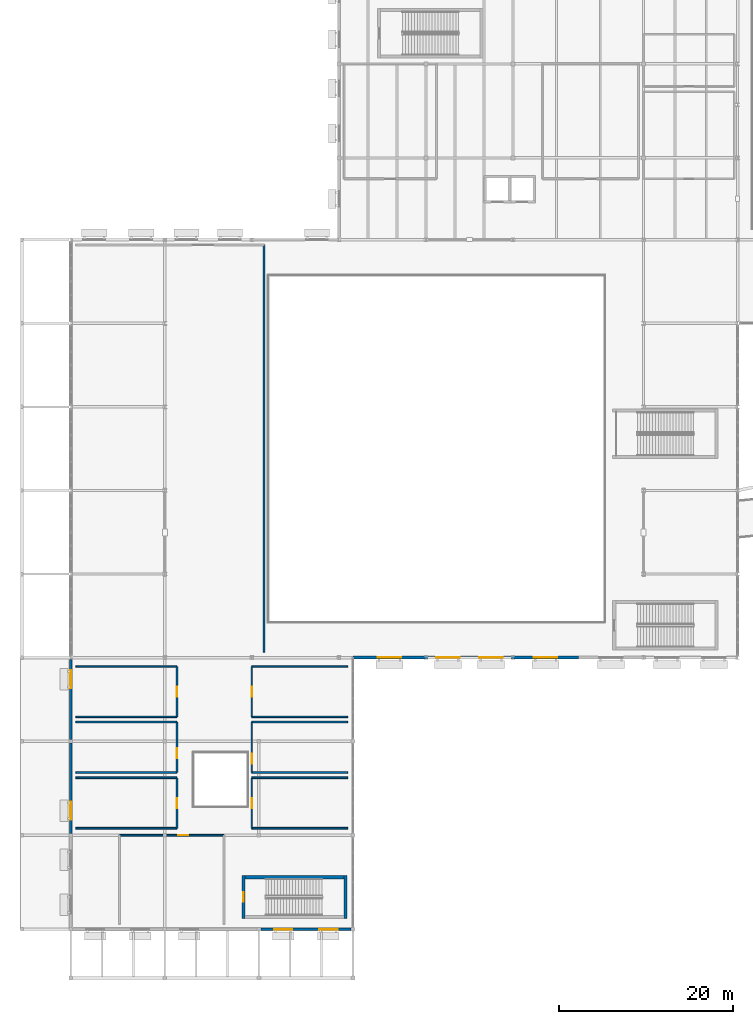
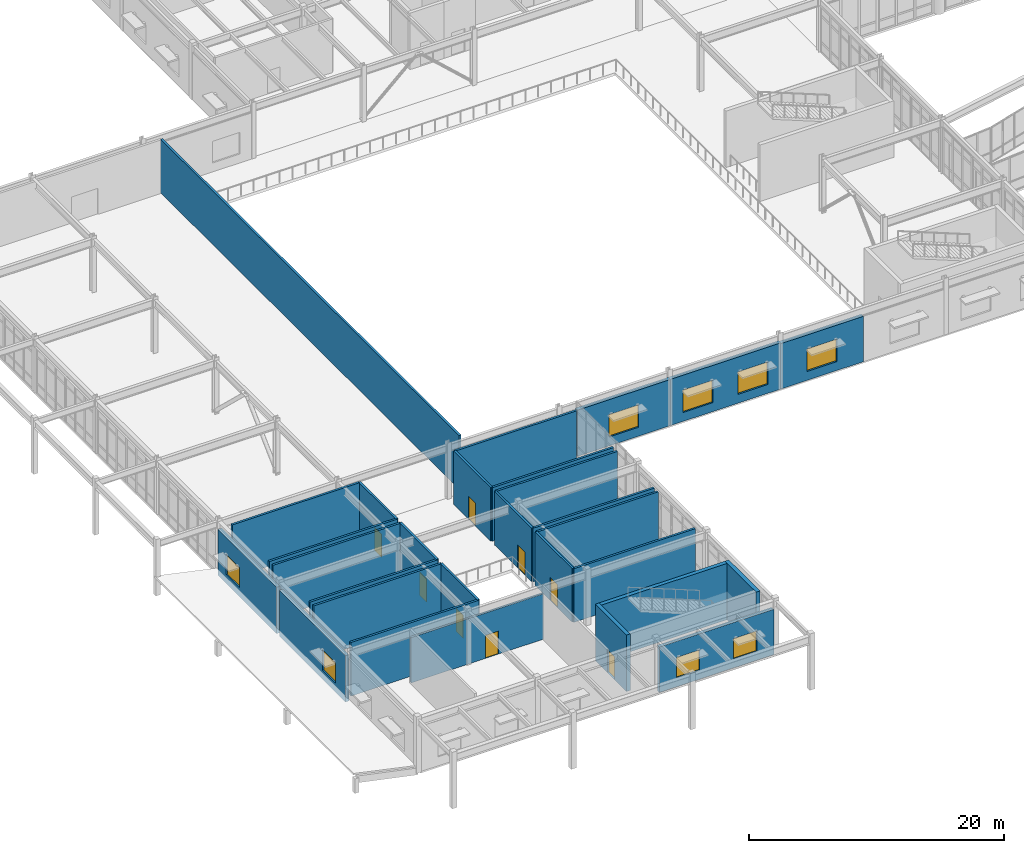
# One storey, part 48 of 72: 29 walls, 8 doors, 8 windows, 16 openings.
"""IFC4 building model written with IfcOpenShell, lengths in metres."""

import ifcopenshell
import ifcopenshell.guid

model = None  # the IFC model being written
_history = None  # IfcOwnerHistory: only IFC2X3 demands one
_inside = {}  # id of a spatial element -> (the spatial element, [elements in it])
_under = {}  # id of a project, library or spatial element -> (it, [spatial elements below it])
_declared = {}  # id of a project -> (the project, [libraries it declares])
_typed = {}  # id of a type object -> (the type object, [elements of that type])
_made_of = {}  # id of a material, layer set ... -> (it, [elements and type objects made of it])


def new_model(schema):
    """Start an empty IFC model of exactly this schema.

    Asked for "IFC4X3", IfcOpenShell would pick the latest addendum, in which some entities
    have other attributes; the version numbers below select the first issue.
    IFC2X3 requires an IfcOwnerHistory on every rooted entity: one is made here for all.
    """
    global model, _history
    if schema == "IFC4X3":
        model = ifcopenshell.file(schema_version=(4, 3, 0, 0))
    else:
        model = ifcopenshell.file(schema=schema)
    _inside.clear()
    _under.clear()
    _declared.clear()
    _typed.clear()
    _made_of.clear()
    _history = None
    if model.schema == "IFC2X3":
        org = make("IfcOrganization", Name="unknown")
        user = make(
            "IfcPersonAndOrganization",
            ThePerson=make("IfcPerson", FamilyName="unknown"),
            TheOrganization=org,
        )
        app = make(
            "IfcApplication",
            ApplicationDeveloper=org,
            Version="unknown",
            ApplicationFullName="unknown",
            ApplicationIdentifier="unknown",
        )
        _history = make(
            "IfcOwnerHistory",
            OwningUser=user,
            OwningApplication=app,
            ChangeAction="ADDED",
            CreationDate=0,
        )
    return model


def make(cls, **values):
    """One entity of the class cls with the attributes given. An attribute that is None is left unset."""
    return model.create_entity(
        cls, **{name: value for name, value in values.items() if value is not None}
    )


def rooted(cls, **values):
    """An entity with a GlobalId (a new one), such as an element, a storey or a relation."""
    return make(cls, GlobalId=ifcopenshell.guid.new(), OwnerHistory=_history, **values)


def si_unit(unit_type, name, prefix=None):
    """IfcSIUnit, for example si_unit("LENGTHUNIT", "METRE", prefix="MILLI")."""
    return make("IfcSIUnit", UnitType=unit_type, Prefix=prefix, Name=name)


def assignment(units):
    """IfcUnitAssignment: the units of a project."""
    return None if units is None else make("IfcUnitAssignment", Units=units)


def point(xyz):
    """IfcCartesianPoint."""
    return None if xyz is None else make("IfcCartesianPoint", Coordinates=xyz)


def direction(xyz):
    """IfcDirection."""
    return None if xyz is None else make("IfcDirection", DirectionRatios=xyz)


def frame(location, z_axis=None, x_axis=None):
    """IfcAxis2Placement3D, a coordinate frame: its origin and axes. An axis left out is left unset."""
    return make(
        "IfcAxis2Placement3D",
        Location=point(location),
        Axis=direction(z_axis),
        RefDirection=direction(x_axis),
    )


def frame_2d(location, x_axis=None):
    """IfcAxis2Placement2D, a coordinate frame in the plane: its origin and x axis."""
    return make(
        "IfcAxis2Placement2D", Location=point(location), RefDirection=direction(x_axis)
    )


def origin():
    """The frame at (0, 0, 0) with its axes left unset."""
    return frame((0.0, 0.0, 0.0))


def place(relative_to, where):
    """IfcLocalPlacement: puts the frame where relative to a parent placement (None: the world)."""
    return make(
        "IfcLocalPlacement", PlacementRelTo=relative_to, RelativePlacement=where
    )


def context(
    kind, dimensions, precision=None, world=None, true_north=None, identifier=None
):
    """IfcGeometricRepresentationContext, for example the 3D "Model" context."""
    return make(
        "IfcGeometricRepresentationContext",
        ContextIdentifier=identifier,
        ContextType=kind,
        CoordinateSpaceDimension=dimensions,
        Precision=precision,
        WorldCoordinateSystem=world,
        TrueNorth=true_north,
    )


def subcontext(parent, identifier, kind, view, scale=None):
    """IfcGeometricRepresentationSubContext, for example "Body" below "Model"."""
    return make(
        "IfcGeometricRepresentationSubContext",
        ContextIdentifier=identifier,
        ContextType=kind,
        ParentContext=parent,
        TargetScale=scale,
        TargetView=view,
    )


def project(units=None, contexts=None):
    """IfcProject with its units and contexts."""
    return rooted(
        "IfcProject",
        Name="project",
        RepresentationContexts=contexts,
        UnitsInContext=assignment(units),
    )


def spatial(cls, under=None, at=None, **own):
    """A site, building, storey or space (cls), placed at a placement, below another one or the project."""
    s = rooted(cls, ObjectPlacement=at, **own)
    if under is not None:
        _under.setdefault(under.id(), (under, []))[1].append(s)
    return s


def profile(cls, at=None, kind="AREA", **sizes):
    """A parametric profile (cls). Its sizes go by their IFC names, for example OverallWidth=200.0."""
    return make(cls, ProfileType=kind, Position=at, **sizes)


def rectangle(**sizes):
    """IfcRectangleProfileDef."""
    return profile("IfcRectangleProfileDef", **sizes)


def extrude(swept, where, along, depth):
    """IfcExtrudedAreaSolid: the profile swept, set in the frame where, extruded along a direction by depth."""
    return make(
        "IfcExtrudedAreaSolid",
        SweptArea=swept,
        Position=where,
        ExtrudedDirection=direction(along),
        Depth=depth,
    )


def shape(context_of_items, identifier, shape_type, items):
    """IfcShapeRepresentation: the items that make up one representation, for example the "Body"."""
    return make(
        "IfcShapeRepresentation",
        ContextOfItems=context_of_items,
        RepresentationIdentifier=identifier,
        RepresentationType=shape_type,
        Items=items,
    )


def material(Name=None, Category=None):
    """IfcMaterial."""
    return make("IfcMaterial", Name=Name, Category=Category)


def layer(
    of_material, thickness, ventilated=None, Name=None, Category=None, Priority=None
):
    """IfcMaterialLayer: one layer of a wall or slab, of a material (None: an air gap)."""
    return make(
        "IfcMaterialLayer",
        Material=of_material,
        LayerThickness=thickness,
        IsVentilated=ventilated,
        Name=Name,
        Category=Category,
        Priority=Priority,
    )


def layer_set(layers, Name=None):
    """IfcMaterialLayerSet."""
    return make("IfcMaterialLayerSet", MaterialLayers=layers, LayerSetName=Name)


def made_of(thing, what):
    """Note that an element or type object is made of a material, layer set ...; save() writes the relation."""
    if what is not None:
        _made_of.setdefault(what.id(), (what, []))[1].append(thing)
    return thing


def type_object(cls, material=None, **own):
    """A type object (cls), such as IfcWallType, which elements share."""
    return made_of(rooted(cls, **own), material)


def element(
    cls,
    number,
    at=None,
    inside=None,
    cuts=None,
    type_object=None,
    material=None,
    context=None,
    identifier="Body",
    shape_type=None,
    held_by="IfcProductDefinitionShape",
    body=None,
    shapes=None,
    **own,
):
    """One element of the class cls, such as IfcWall. Its Tag is "e" and its number.

    at: its placement. inside: the storey or other place that contains it. cuts: it is an
    opening in that element (IfcRelVoidsElement). A single representation is given by context,
    identifier, shape_type and body (its items); several are given by shapes. held_by: the class
    of the entity that holds the representations. save() writes the other relations.
    """
    e = rooted(cls, Tag="e%d" % number, ObjectPlacement=at, **own)
    if body is not None:
        shapes = [shape(context, identifier, shape_type, body)]
    if shapes is not None:
        e.Representation = make(held_by, Representations=shapes)
    if inside is not None:
        _inside.setdefault(inside.id(), (inside, []))[1].append(e)
    if cuts is not None:
        rooted(
            "IfcRelVoidsElement", RelatingBuildingElement=cuts, RelatedOpeningElement=e
        )
    if type_object is not None:
        _typed.setdefault(type_object.id(), (type_object, []))[1].append(e)
    return made_of(e, material)


def fill(opening, filler):
    """IfcRelFillsElement: the door or window that sits in an opening."""
    return rooted(
        "IfcRelFillsElement",
        RelatingOpeningElement=opening,
        RelatedBuildingElement=filler,
    )


def aggregate(whole, parts):
    """IfcRelAggregates: a whole, such as a stair, and the parts it consists of."""
    return rooted("IfcRelAggregates", RelatingObject=whole, RelatedObjects=parts)


def save(model, path):
    """Write the relations noted so far, then the file.

    IfcRelAggregates (storeys below a building ...), IfcRelContainedInSpatialStructure (elements
    in a storey), IfcRelDefinesByType, IfcRelAssociatesMaterial and IfcRelDeclares: one each for
    every whole, place, type object, material and project.
    """
    for whole, parts in _under.values():
        aggregate(whole, parts)
    for where, things in _inside.values():
        rooted(
            "IfcRelContainedInSpatialStructure",
            RelatedElements=things,
            RelatingStructure=where,
        )
    for kind, things in _typed.values():
        rooted("IfcRelDefinesByType", RelatedObjects=things, RelatingType=kind)
    for what, things in _made_of.values():
        rooted("IfcRelAssociatesMaterial", RelatedObjects=things, RelatingMaterial=what)
    for by, libraries in _declared.values():
        rooted("IfcRelDeclares", RelatingContext=by, RelatedDefinitions=libraries)
    model.write(path)


model = new_model("IFC4")

# Units and contexts
model_context = context("Model", 3, precision=1e-05, world=origin(), true_north=direction((0.0, 1.0)))
body_context = subcontext(model_context, "Body", "Model", "MODEL_VIEW")
ifc_project = project(units=[si_unit("LENGTHUNIT", "METRE"), si_unit("AREAUNIT", "SQUARE_METRE"), si_unit("VOLUMEUNIT", "CUBIC_METRE"), si_unit("PLANEANGLEUNIT", "RADIAN"), si_unit("MASSUNIT", "GRAM", prefix="KILO")], contexts=[model_context])

# Site, building, storey
site_placement = place(None, origin())
site = spatial("IfcSite", under=ifc_project, at=site_placement, CompositionType="ELEMENT")
building_placement = place(site_placement, origin())
building = spatial("IfcBuilding", under=site, at=building_placement, Name="Veldera Park Congress Hotel", CompositionType="ELEMENT")
storey_placement = place(building_placement, frame((0.0, 0.0, 5.39990234375)))
storey = spatial("IfcBuildingStorey", under=building, at=storey_placement, Name="L01", CompositionType="ELEMENT", Elevation=5.39990234375)

# Wall, opening, window
ifc_material_1 = material(Name="Cross-laminated timber CLT V2M1.1", Category="wood")
ifc_layer_1 = layer(ifc_material_1, 0.320068359375)
ifc_layer_set_1 = layer_set([ifc_layer_1], Name="Cross-laminated timber CLT V2M1.1")
wall_type_1 = type_object("IfcWallType", Name="EW-CLT320", PredefinedType="STANDARD", material=ifc_layer_set_1)
wall_1_placement = place(storey_placement, frame((-78.199951171875, -21.185546875, 0.0), z_axis=(0.0, 0.0, 1.0), x_axis=(0.0, -1.0, 0.0)))
wall_1 = element("IfcWall", 1, at=wall_1_placement, inside=storey, type_object=wall_type_1, Name="L01 Exterior Wall EW3-L01-0067", PredefinedType="STANDARD", context=body_context, shape_type="SweptSolid", body=[
    extrude(rectangle(XDim=9.19140625, YDim=0.320068359375, at=frame_2d((4.595703125, 0.0))), origin(), (0.0, 0.0, 1.0), 4.42919921875),
])
opening_1_placement = place(wall_1_placement, frame((1.247802734375, 0.0, 0.85009765625)))
opening_1 = element("IfcOpeningElement", 2, at=opening_1_placement, cuts=wall_1, Name="Opening WIN-2100", PredefinedType="OPENING", context=body_context, shape_type="SweptSolid", body=[
    extrude(rectangle(XDim=2.10009765625, YDim=1.949951171875, at=frame_2d((1.050048828125, 0.97509765625))), frame((0.0, 0.172119140625, 0.0), z_axis=(0.0, -1.0, 0.0), x_axis=(1.0, 0.0, 0.0)), (0.0, 0.0, 1.0), 0.343994140625),
])
ifc_material_2 = material(Name="Low-E Triple Insulating Glass Unit (SHGC 0.22)", Category="glass")
window_type_1 = type_object("IfcWindowType", Name="WIN-2100", PartitioningType="DOUBLE_PANEL_VERTICAL", PredefinedType="WINDOW", material=ifc_material_2)
window_1_placement = place(opening_1_placement, origin())
window_1 = element("IfcWindow", 3, at=window_1_placement, inside=storey, type_object=window_type_1, Name="L01 Window WIN-2100 81", OverallHeight=1.949951171875, OverallWidth=2.10009765625, PartitioningType="DOUBLE_PANEL_VERTICAL", PredefinedType="WINDOW", context=body_context, shape_type="SweptSolid", body=[
    extrude(rectangle(XDim=2.10009765625, YDim=1.949951171875, at=frame_2d((1.050048828125, 0.97509765625))), frame((0.0, 0.030029296875, 0.0), z_axis=(0.0, -1.0, 0.0), x_axis=(1.0, 0.0, 0.0)), (0.0, 0.0, 1.0), 0.06005859375),
])
fill(opening_1, window_1)

wall_2_placement = place(storey_placement, frame((-78.199951171875, -30.822998046875, 0.0), z_axis=(0.0, 0.0, 1.0), x_axis=(0.0, -1.0, 0.0)))
wall_2 = element("IfcWall", 4, at=wall_2_placement, inside=storey, type_object=wall_type_1, Name="L01 Exterior Wall EW3-L01-0068", PredefinedType="STANDARD", context=body_context, shape_type="SweptSolid", body=[
    extrude(rectangle(XDim=10.35400390625, YDim=0.320068359375, at=frame_2d((5.177001953125, 0.0))), origin(), (0.0, 0.0, 1.0), 4.42919921875),
])
opening_2_placement = place(wall_2_placement, frame((6.715576171875, 0.0, 0.85009765625)))
opening_2 = element("IfcOpeningElement", 5, at=opening_2_placement, cuts=wall_2, Name="Opening WIN-2100", PredefinedType="OPENING", context=body_context, shape_type="SweptSolid", body=[
    extrude(rectangle(XDim=2.10009765625, YDim=1.949951171875, at=frame_2d((1.050048828125, 0.97509765625))), frame((0.0, 0.172119140625, 0.0), z_axis=(0.0, -1.0, 0.0), x_axis=(1.0, 0.0, 0.0)), (0.0, 0.0, 1.0), 0.343994140625),
])
window_2_placement = place(opening_2_placement, origin())
window_2 = element("IfcWindow", 6, at=window_2_placement, inside=storey, type_object=window_type_1, Name="L01 Window WIN-2100 82", OverallHeight=1.949951171875, OverallWidth=2.10009765625, PartitioningType="DOUBLE_PANEL_VERTICAL", PredefinedType="WINDOW", context=body_context, shape_type="SweptSolid", body=[
    extrude(rectangle(XDim=2.10009765625, YDim=1.949951171875, at=frame_2d((1.050048828125, 0.97509765625))), frame((0.0, 0.030029296875, 0.0), z_axis=(0.0, -1.0, 0.0), x_axis=(1.0, 0.0, 0.0)), (0.0, 0.0, 1.0), 0.06005859375),
])
fill(opening_2, window_2)

# Wall, openings, windows
wall_3_placement = place(storey_placement, frame((-56.376953125, -52.199951171875, 0.0), z_axis=(0.0, 0.0, 1.0), x_axis=(1.0, 0.0, 0.0)))
wall_3 = element("IfcWall", 7, at=wall_3_placement, inside=storey, type_object=wall_type_1, Name="L01 Exterior Wall EW3-L01-0072", PredefinedType="STANDARD", context=body_context, shape_type="SweptSolid", body=[
    extrude(rectangle(XDim=10.35400390625, YDim=0.320068359375, at=frame_2d((5.177001953125, 0.0))), origin(), (0.0, 0.0, 1.0), 4.34619140625),
])
opening_3_placement = place(wall_3_placement, frame((1.53857421875, 0.0, 0.85009765625)))
opening_3 = element("IfcOpeningElement", 8, at=opening_3_placement, cuts=wall_3, Name="Opening WIN-2100", PredefinedType="OPENING", context=body_context, shape_type="SweptSolid", body=[
    extrude(rectangle(XDim=2.10009765625, YDim=1.949951171875, at=frame_2d((1.050048828125, 0.97509765625))), frame((0.0, 0.172119140625, 0.0), z_axis=(0.0, -1.0, 0.0), x_axis=(1.0, 0.0, 0.0)), (0.0, 0.0, 1.0), 0.343994140625),
])
opening_4_placement = place(wall_3_placement, frame((6.715576171875, 0.0, 0.85009765625)))
opening_4 = element("IfcOpeningElement", 9, at=opening_4_placement, cuts=wall_3, Name="Opening WIN-2100", PredefinedType="OPENING", context=body_context, shape_type="SweptSolid", body=[
    extrude(rectangle(XDim=2.10009765625, YDim=1.949951171875, at=frame_2d((1.050048828125, 0.97509765625))), frame((0.0, 0.172119140625, 0.0), z_axis=(0.0, -1.0, 0.0), x_axis=(1.0, 0.0, 0.0)), (0.0, 0.0, 1.0), 0.343994140625),
])
window_3_placement = place(opening_3_placement, origin())
window_3 = element("IfcWindow", 10, at=window_3_placement, inside=storey, type_object=window_type_1, Name="L01 Window WIN-2100 88", OverallHeight=1.949951171875, OverallWidth=2.10009765625, PartitioningType="DOUBLE_PANEL_VERTICAL", PredefinedType="WINDOW", context=body_context, shape_type="SweptSolid", body=[
    extrude(rectangle(XDim=2.10009765625, YDim=1.949951171875, at=frame_2d((1.050048828125, 0.97509765625))), frame((0.0, 0.030029296875, 0.0), z_axis=(0.0, -1.0, 0.0), x_axis=(1.0, 0.0, 0.0)), (0.0, 0.0, 1.0), 0.06005859375),
])
fill(opening_3, window_3)
window_4_placement = place(opening_4_placement, origin())
window_4 = element("IfcWindow", 11, at=window_4_placement, inside=storey, type_object=window_type_1, Name="L01 Window WIN-2100 89", OverallHeight=1.949951171875, OverallWidth=2.10009765625, PartitioningType="DOUBLE_PANEL_VERTICAL", PredefinedType="WINDOW", context=body_context, shape_type="SweptSolid", body=[
    extrude(rectangle(XDim=2.10009765625, YDim=1.949951171875, at=frame_2d((1.050048828125, 0.97509765625))), frame((0.0, 0.030029296875, 0.0), z_axis=(0.0, -1.0, 0.0), x_axis=(1.0, 0.0, 0.0)), (0.0, 0.0, 1.0), 0.06005859375),
])
fill(opening_4, window_4)

# Wall, opening, window
ifc_material_3 = material(Name="Architectural Sandstone Cladding (ASTM C616)", Category="masonry")
ifc_layer_2 = layer(ifc_material_3, 0.360107421875)
ifc_layer_set_2 = layer_set([ifc_layer_2], Name="Architectural Sandstone Cladding (ASTM C616)")
wall_type_2 = type_object("IfcWallType", Name="EW-STONE360", PredefinedType="STANDARD", material=ifc_layer_set_2)
wall_4_placement = place(storey_placement, frame((-45.800048828125, -21.0, 0.0), z_axis=(0.0, 0.0, 1.0), x_axis=(1.0, 0.0, 0.0)))
wall_4 = element("IfcWall", 12, at=wall_4_placement, inside=storey, type_object=wall_type_2, Name="L01 Exterior Wall EW3-L01-0044", PredefinedType="STANDARD", context=body_context, shape_type="SweptSolid", body=[
    extrude(rectangle(XDim=8.392578125, YDim=0.360107421875, at=frame_2d((4.1962890625, 0.0))), origin(), (0.0, 0.0, 1.0), 4.424072265625),
])
opening_5_placement = place(wall_4_placement, frame((2.84619140625, 0.0, 0.85009765625)))
opening_5 = element("IfcOpeningElement", 13, at=opening_5_placement, cuts=wall_4, Name="Opening WIN-2700", PredefinedType="OPENING", context=body_context, shape_type="SweptSolid", body=[
    extrude(rectangle(XDim=2.699951171875, YDim=2.14990234375, at=frame_2d((1.35009765625, 1.074951171875))), frame((0.0, 0.192138671875, 0.0), z_axis=(0.0, -1.0, 0.0), x_axis=(1.0, 0.0, 0.0)), (0.0, 0.0, 1.0), 0.384033203125),
])
window_type_2 = type_object("IfcWindowType", Name="WIN-2700", PartitioningType="TRIPLE_PANEL_VERTICAL", PredefinedType="WINDOW", material=ifc_material_2)
window_5_placement = place(opening_5_placement, origin())
window_5 = element("IfcWindow", 14, at=window_5_placement, inside=storey, type_object=window_type_2, Name="L01 Window WIN-2700 47", OverallHeight=2.14990234375, OverallWidth=2.699951171875, PartitioningType="TRIPLE_PANEL_VERTICAL", PredefinedType="WINDOW", context=body_context, shape_type="SweptSolid", body=[
    extrude(rectangle(XDim=2.699951171875, YDim=2.14990234375, at=frame_2d((1.35009765625, 1.074951171875))), frame((0.0, 0.030029296875, 0.0), z_axis=(0.0, -1.0, 0.0), x_axis=(1.0, 0.0, 0.0)), (0.0, 0.0, 1.0), 0.06005859375),
])
fill(opening_5, window_5)

# Wall, openings, windows
wall_5_placement = place(storey_placement, frame((-37.392578125, -21.0, 0.0), z_axis=(0.0, 0.0, 1.0), x_axis=(1.0, 0.0, 0.0)))
wall_5 = element("IfcWall", 15, at=wall_5_placement, inside=storey, type_object=wall_type_2, Name="L01 Exterior Wall EW3-L01-0045", PredefinedType="STANDARD", context=body_context, shape_type="SweptSolid", body=[
    extrude(rectangle(XDim=9.985107421875, YDim=0.360107421875, at=frame_2d((4.99267578125, 0.0))), origin(), (0.0, 0.0, 1.0), 4.424072265625),
])
opening_6_placement = place(wall_5_placement, frame((1.146240234375, 0.0, 0.85009765625)))
opening_6 = element("IfcOpeningElement", 16, at=opening_6_placement, cuts=wall_5, Name="Opening WIN-2700", PredefinedType="OPENING", context=body_context, shape_type="SweptSolid", body=[
    extrude(rectangle(XDim=2.699951171875, YDim=2.14990234375, at=frame_2d((1.35009765625, 1.074951171875))), frame((0.0, 0.192138671875, 0.0), z_axis=(0.0, -1.0, 0.0), x_axis=(1.0, 0.0, 0.0)), (0.0, 0.0, 1.0), 0.384033203125),
])
opening_7_placement = place(wall_5_placement, frame((6.138671875, 0.0, 0.85009765625)))
opening_7 = element("IfcOpeningElement", 17, at=opening_7_placement, cuts=wall_5, Name="Opening WIN-2700", PredefinedType="OPENING", context=body_context, shape_type="SweptSolid", body=[
    extrude(rectangle(XDim=2.699951171875, YDim=2.14990234375, at=frame_2d((1.35009765625, 1.074951171875))), frame((0.0, 0.192138671875, 0.0), z_axis=(0.0, -1.0, 0.0), x_axis=(1.0, 0.0, 0.0)), (0.0, 0.0, 1.0), 0.384033203125),
])
window_6_placement = place(opening_6_placement, origin())
window_6 = element("IfcWindow", 18, at=window_6_placement, inside=storey, type_object=window_type_2, Name="L01 Window WIN-2700 48", OverallHeight=2.14990234375, OverallWidth=2.699951171875, PartitioningType="TRIPLE_PANEL_VERTICAL", PredefinedType="WINDOW", context=body_context, shape_type="SweptSolid", body=[
    extrude(rectangle(XDim=2.699951171875, YDim=2.14990234375, at=frame_2d((1.35009765625, 1.074951171875))), frame((0.0, 0.030029296875, 0.0), z_axis=(0.0, -1.0, 0.0), x_axis=(1.0, 0.0, 0.0)), (0.0, 0.0, 1.0), 0.06005859375),
])
fill(opening_6, window_6)
window_7_placement = place(opening_7_placement, origin())
window_7 = element("IfcWindow", 19, at=window_7_placement, inside=storey, type_object=window_type_2, Name="L01 Window WIN-2700 49", OverallHeight=2.14990234375, OverallWidth=2.699951171875, PartitioningType="TRIPLE_PANEL_VERTICAL", PredefinedType="WINDOW", context=body_context, shape_type="SweptSolid", body=[
    extrude(rectangle(XDim=2.699951171875, YDim=2.14990234375, at=frame_2d((1.35009765625, 1.074951171875))), frame((0.0, 0.030029296875, 0.0), z_axis=(0.0, -1.0, 0.0), x_axis=(1.0, 0.0, 0.0)), (0.0, 0.0, 1.0), 0.06005859375),
])
fill(opening_7, window_7)

# Wall, opening, window
wall_6_placement = place(storey_placement, frame((-27.392578125, -21.0, 0.0), z_axis=(0.0, 0.0, 1.0), x_axis=(1.0, 0.0, 0.0)))
wall_6 = element("IfcWall", 20, at=wall_6_placement, inside=storey, type_object=wall_type_2, Name="L01 Exterior Wall EW3-L01-0046", PredefinedType="STANDARD", context=body_context, shape_type="SweptSolid", body=[
    extrude(rectangle(XDim=7.4931640625, YDim=0.360107421875, at=frame_2d((3.74658203125, 0.0))), origin(), (0.0, 0.0, 1.0), 4.34619140625),
])
opening_8_placement = place(wall_6_placement, frame((2.396484375, 0.0, 0.85009765625)))
opening_8 = element("IfcOpeningElement", 21, at=opening_8_placement, cuts=wall_6, Name="Opening WIN-2700", PredefinedType="OPENING", context=body_context, shape_type="SweptSolid", body=[
    extrude(rectangle(XDim=2.699951171875, YDim=2.14990234375, at=frame_2d((1.35009765625, 1.074951171875))), frame((0.0, 0.192138671875, 0.0), z_axis=(0.0, -1.0, 0.0), x_axis=(1.0, 0.0, 0.0)), (0.0, 0.0, 1.0), 0.384033203125),
])
window_8_placement = place(opening_8_placement, origin())
window_8 = element("IfcWindow", 22, at=window_8_placement, inside=storey, type_object=window_type_2, Name="L01 Window WIN-2700 50", OverallHeight=2.14990234375, OverallWidth=2.699951171875, PartitioningType="TRIPLE_PANEL_VERTICAL", PredefinedType="WINDOW", context=body_context, shape_type="SweptSolid", body=[
    extrude(rectangle(XDim=2.699951171875, YDim=2.14990234375, at=frame_2d((1.35009765625, 1.074951171875))), frame((0.0, 0.030029296875, 0.0), z_axis=(0.0, -1.0, 0.0), x_axis=(1.0, 0.0, 0.0)), (0.0, 0.0, 1.0), 0.06005859375),
])
fill(opening_8, window_8)

# Walls
ifc_material_4 = material(Name="Fire-Rated Gypsum Board on Cold-Formed Steel Studs", Category="steel")
ifc_layer_3 = layer(ifc_material_4, 0.195068359375)
ifc_layer_set_3 = layer_set([ifc_layer_3], Name="Fire-Rated Gypsum Board on Cold-Formed Steel Studs")
wall_type_3 = type_object("IfcWallType", Name="IW-CORR195", PredefinedType="PARTITIONING", material=ifc_layer_set_3)
wall_7_placement = place(storey_placement, frame((-56.0, -20.39990234375, 0.0), z_axis=(0.0, 0.0, 1.0), x_axis=(0.0, 1.0, 0.0)))
element("IfcWall", 23, at=wall_7_placement, inside=storey, type_object=wall_type_3, Name="L01 Partition Wall IW3-L01-00095", PredefinedType="PARTITIONING", context=body_context, shape_type="SweptSolid", body=[
    extrude(rectangle(XDim=46.7998046875, YDim=0.195068359375, at=frame_2d((23.39990234375, 0.0))), origin(), (0.0, 0.0, 1.0), 5.130126953125),
])
wall_8_placement = place(storey_placement, frame((-77.60009765625, -40.60009765625, 0.0), z_axis=(0.0, 0.0, 1.0), x_axis=(1.0, 0.0, 0.0)))
element("IfcWall", 24, at=wall_8_placement, inside=storey, type_object=wall_type_3, Name="L01 Partition Wall IW3-L01-00120", PredefinedType="PARTITIONING", context=body_context, shape_type="SweptSolid", body=[
    extrude(rectangle(XDim=11.60009765625, YDim=0.195068359375, at=frame_2d((5.800048828125, 0.0))), origin(), (0.0, 0.0, 1.0), 5.130126953125),
])

# Wall, opening, door
wall_9_placement = place(storey_placement, frame((-66.0, -40.60009765625, 0.0), z_axis=(0.0, 0.0, 1.0), x_axis=(0.0, 1.0, 0.0)))
wall_9 = element("IfcWall", 25, at=wall_9_placement, inside=storey, type_object=wall_type_3, Name="L01 Partition Wall IW3-L01-00121", PredefinedType="PARTITIONING", context=body_context, shape_type="SweptSolid", body=[
    extrude(rectangle(XDim=5.800048828125, YDim=0.195068359375, at=frame_2d((2.89990234375, 0.0))), origin(), (0.0, 0.0, 1.0), 5.130126953125),
])
opening_9_placement = place(wall_9_placement, frame((2.324951171875, 0.0, 0.0)))
opening_9 = element("IfcOpeningElement", 26, at=opening_9_placement, cuts=wall_9, Name="Opening ID-MEET115", PredefinedType="OPENING", context=body_context, shape_type="SweptSolid", body=[
    extrude(rectangle(XDim=1.14990234375, YDim=2.199951171875, at=frame_2d((0.574951171875, 1.10009765625))), frame((0.0, 0.109619140625, 0.0), z_axis=(0.0, -1.0, 0.0), x_axis=(1.0, 0.0, 0.0)), (0.0, 0.0, 1.0), 0.218994140625),
])
ifc_material_5 = material(Name="Solid Core White Oak Architectural Door", Category="wood")
door_type_1 = type_object("IfcDoorType", Name="ID-MEET115", OperationType="NOTDEFINED", PredefinedType="DOOR", material=ifc_material_5)
door_1_placement = place(opening_9_placement, origin())
door_1 = element("IfcDoor", 27, at=door_1_placement, inside=storey, type_object=door_type_1, Name="L01 Botanical Massage Treatment Suite 1 Door ID3-L01-0042 (DR3-ID3-L01-0042)", OperationType="SINGLE_SWING_LEFT", OverallHeight=2.199951171875, OverallWidth=1.14990234375, PredefinedType="DOOR", context=body_context, shape_type="SweptSolid", body=[
    extrude(rectangle(XDim=1.14990234375, YDim=2.199951171875, at=frame_2d((0.574951171875, 1.10009765625))), frame((0.0, 0.02490234375, 0.0), z_axis=(0.0, -1.0, 0.0), x_axis=(1.0, 0.0, 0.0)), (0.0, 0.0, 1.0), 0.050048828125),
])
fill(opening_9, door_1)

# Walls
wall_10_placement = place(storey_placement, frame((-66.0, -34.800048828125, 0.0), z_axis=(0.0, 0.0, 1.0), x_axis=(-1.0, 0.0, 0.0)))
element("IfcWall", 28, at=wall_10_placement, inside=storey, type_object=wall_type_3, Name="L01 Partition Wall IW3-L01-00122", PredefinedType="PARTITIONING", context=body_context, shape_type="SweptSolid", body=[
    extrude(rectangle(XDim=11.60009765625, YDim=0.195068359375, at=frame_2d((5.800048828125, 0.0))), origin(), (0.0, 0.0, 1.0), 5.130126953125),
])
for number, where, z_axis, x_axis, name in (
    (29, (-57.39990234375, -40.60009765625, 0.0), (0.0, 0.0, 1.0), (1.0, 0.0, 0.0), "L01 Partition Wall IW3-L01-00123"),
    (30, (-46.39990234375, -34.800048828125, 0.0), (0.0, 0.0, 1.0), (-1.0, 0.0, 0.0), "L01 Partition Wall IW3-L01-00124"),
):
    element("IfcWall", number, at=place(storey_placement, frame(where, z_axis=z_axis, x_axis=x_axis)), inside=storey, type_object=wall_type_3, Name=name, PredefinedType="PARTITIONING", context=body_context, shape_type="SweptSolid", body=[
        extrude(rectangle(XDim=11.0, YDim=0.195068359375, at=frame_2d((5.5, 0.0))), origin(), (0.0, 0.0, 1.0), 5.130126953125),
    ])

# Wall, opening, door
wall_11_placement = place(storey_placement, frame((-57.39990234375, -34.800048828125, 0.0), z_axis=(0.0, 0.0, 1.0), x_axis=(0.0, -1.0, 0.0)))
wall_11 = element("IfcWall", 31, at=wall_11_placement, inside=storey, type_object=wall_type_3, Name="L01 Partition Wall IW3-L01-00125", PredefinedType="PARTITIONING", context=body_context, shape_type="SweptSolid", body=[
    extrude(rectangle(XDim=5.800048828125, YDim=0.195068359375, at=frame_2d((2.89990234375, 0.0))), origin(), (0.0, 0.0, 1.0), 5.130126953125),
])
opening_10_placement = place(wall_11_placement, frame((2.324951171875, 0.0, 0.0)))
opening_10 = element("IfcOpeningElement", 32, at=opening_10_placement, cuts=wall_11, Name="Opening ID-MEET115", PredefinedType="OPENING", context=body_context, shape_type="SweptSolid", body=[
    extrude(rectangle(XDim=1.14990234375, YDim=2.199951171875, at=frame_2d((0.574951171875, 1.10009765625))), frame((0.0, 0.109619140625, 0.0), z_axis=(0.0, -1.0, 0.0), x_axis=(1.0, 0.0, 0.0)), (0.0, 0.0, 1.0), 0.218994140625),
])
door_2_placement = place(opening_10_placement, origin())
door_2 = element("IfcDoor", 33, at=door_2_placement, inside=storey, type_object=door_type_1, Name="L01 Desert Salt Holistic Therapy Room 1 Door ID3-L01-0043 (DR3-ID3-L01-0043)", OperationType="SINGLE_SWING_RIGHT", OverallHeight=2.199951171875, OverallWidth=1.14990234375, PredefinedType="DOOR", context=body_context, shape_type="SweptSolid", body=[
    extrude(rectangle(XDim=1.14990234375, YDim=2.199951171875, at=frame_2d((0.574951171875, 1.10009765625))), frame((0.0, 0.02490234375, 0.0), z_axis=(0.0, -1.0, 0.0), x_axis=(1.0, 0.0, 0.0)), (0.0, 0.0, 1.0), 0.050048828125),
])
fill(opening_10, door_2)

# Wall
wall_12_placement = place(storey_placement, frame((-77.60009765625, -34.199951171875, 0.0), z_axis=(0.0, 0.0, 1.0), x_axis=(1.0, 0.0, 0.0)))
element("IfcWall", 34, at=wall_12_placement, inside=storey, type_object=wall_type_3, Name="L01 Partition Wall IW3-L01-00126", PredefinedType="PARTITIONING", context=body_context, shape_type="SweptSolid", body=[
    extrude(rectangle(XDim=11.60009765625, YDim=0.195068359375, at=frame_2d((5.800048828125, 0.0))), origin(), (0.0, 0.0, 1.0), 5.130126953125),
])

# Wall, opening, door
wall_13_placement = place(storey_placement, frame((-66.0, -34.199951171875, 0.0), z_axis=(0.0, 0.0, 1.0), x_axis=(0.0, 1.0, 0.0)))
wall_13 = element("IfcWall", 35, at=wall_13_placement, inside=storey, type_object=wall_type_3, Name="L01 Partition Wall IW3-L01-00127", PredefinedType="PARTITIONING", context=body_context, shape_type="SweptSolid", body=[
    extrude(rectangle(XDim=5.800048828125, YDim=0.195068359375, at=frame_2d((2.89990234375, 0.0))), origin(), (0.0, 0.0, 1.0), 5.130126953125),
])
opening_11_placement = place(wall_13_placement, frame((1.66357421875, 0.0, 0.0)))
opening_11 = element("IfcOpeningElement", 36, at=opening_11_placement, cuts=wall_13, Name="Opening ID-MEET115", PredefinedType="OPENING", context=body_context, shape_type="SweptSolid", body=[
    extrude(rectangle(XDim=1.14990234375, YDim=2.199951171875, at=frame_2d((0.574951171875, 1.10009765625))), frame((0.0, 0.109619140625, 0.0), z_axis=(0.0, -1.0, 0.0), x_axis=(1.0, 0.0, 0.0)), (0.0, 0.0, 1.0), 0.218994140625),
])
door_3_placement = place(opening_11_placement, origin())
door_3 = element("IfcDoor", 37, at=door_3_placement, inside=storey, type_object=door_type_1, Name="L01 Botanical Massage Treatment Suite 2 Door ID3-L01-0044 (DR3-ID3-L01-0044)", OperationType="SINGLE_SWING_LEFT", OverallHeight=2.199951171875, OverallWidth=1.14990234375, PredefinedType="DOOR", context=body_context, shape_type="SweptSolid", body=[
    extrude(rectangle(XDim=1.14990234375, YDim=2.199951171875, at=frame_2d((0.574951171875, 1.10009765625))), frame((0.0, 0.02490234375, 0.0), z_axis=(0.0, -1.0, 0.0), x_axis=(1.0, 0.0, 0.0)), (0.0, 0.0, 1.0), 0.050048828125),
])
fill(opening_11, door_3)

# Walls
wall_14_placement = place(storey_placement, frame((-66.0, -28.39990234375, 0.0), z_axis=(0.0, 0.0, 1.0), x_axis=(-1.0, 0.0, 0.0)))
element("IfcWall", 38, at=wall_14_placement, inside=storey, type_object=wall_type_3, Name="L01 Partition Wall IW3-L01-00128", PredefinedType="PARTITIONING", context=body_context, shape_type="SweptSolid", body=[
    extrude(rectangle(XDim=11.60009765625, YDim=0.195068359375, at=frame_2d((5.800048828125, 0.0))), origin(), (0.0, 0.0, 1.0), 5.130126953125),
])
for number, where, z_axis, x_axis, name in (
    (39, (-57.39990234375, -34.199951171875, 0.0), (0.0, 0.0, 1.0), (1.0, 0.0, 0.0), "L01 Partition Wall IW3-L01-00129"),
    (40, (-46.39990234375, -28.39990234375, 0.0), (0.0, 0.0, 1.0), (-1.0, 0.0, 0.0), "L01 Partition Wall IW3-L01-00130"),
):
    element("IfcWall", number, at=place(storey_placement, frame(where, z_axis=z_axis, x_axis=x_axis)), inside=storey, type_object=wall_type_3, Name=name, PredefinedType="PARTITIONING", context=body_context, shape_type="SweptSolid", body=[
        extrude(rectangle(XDim=11.0, YDim=0.195068359375, at=frame_2d((5.5, 0.0))), origin(), (0.0, 0.0, 1.0), 5.130126953125),
    ])

# Wall, opening, door
wall_15_placement = place(storey_placement, frame((-57.39990234375, -28.39990234375, 0.0), z_axis=(0.0, 0.0, 1.0), x_axis=(0.0, -1.0, 0.0)))
wall_15 = element("IfcWall", 41, at=wall_15_placement, inside=storey, type_object=wall_type_3, Name="L01 Partition Wall IW3-L01-00131", PredefinedType="PARTITIONING", context=body_context, shape_type="SweptSolid", body=[
    extrude(rectangle(XDim=5.800048828125, YDim=0.195068359375, at=frame_2d((2.89990234375, 0.0))), origin(), (0.0, 0.0, 1.0), 5.130126953125),
])
opening_12_placement = place(wall_15_placement, frame((3.64794921875, 0.0, 0.0)))
opening_12 = element("IfcOpeningElement", 42, at=opening_12_placement, cuts=wall_15, Name="Opening ID-MEET115", PredefinedType="OPENING", context=body_context, shape_type="SweptSolid", body=[
    extrude(rectangle(XDim=1.14990234375, YDim=2.199951171875, at=frame_2d((0.574951171875, 1.10009765625))), frame((0.0, 0.109619140625, 0.0), z_axis=(0.0, -1.0, 0.0), x_axis=(1.0, 0.0, 0.0)), (0.0, 0.0, 1.0), 0.218994140625),
])
door_4_placement = place(opening_12_placement, origin())
door_4 = element("IfcDoor", 43, at=door_4_placement, inside=storey, type_object=door_type_1, Name="L01 Desert Salt Holistic Therapy Room 2 Door ID3-L01-0045 (DR3-ID3-L01-0045)", OperationType="SINGLE_SWING_RIGHT", OverallHeight=2.199951171875, OverallWidth=1.14990234375, PredefinedType="DOOR", context=body_context, shape_type="SweptSolid", body=[
    extrude(rectangle(XDim=1.14990234375, YDim=2.199951171875, at=frame_2d((0.574951171875, 1.10009765625))), frame((0.0, 0.02490234375, 0.0), z_axis=(0.0, -1.0, 0.0), x_axis=(1.0, 0.0, 0.0)), (0.0, 0.0, 1.0), 0.050048828125),
])
fill(opening_12, door_4)

# Wall
wall_16_placement = place(storey_placement, frame((-77.60009765625, -27.800048828125, 0.0), z_axis=(0.0, 0.0, 1.0), x_axis=(1.0, 0.0, 0.0)))
element("IfcWall", 44, at=wall_16_placement, inside=storey, type_object=wall_type_3, Name="L01 Partition Wall IW3-L01-00132", PredefinedType="PARTITIONING", context=body_context, shape_type="SweptSolid", body=[
    extrude(rectangle(XDim=11.60009765625, YDim=0.195068359375, at=frame_2d((5.800048828125, 0.0))), origin(), (0.0, 0.0, 1.0), 5.130126953125),
])

# Wall, opening, door
wall_17_placement = place(storey_placement, frame((-66.0, -27.800048828125, 0.0), z_axis=(0.0, 0.0, 1.0), x_axis=(0.0, 1.0, 0.0)))
wall_17 = element("IfcWall", 45, at=wall_17_placement, inside=storey, type_object=wall_type_3, Name="L01 Partition Wall IW3-L01-00133", PredefinedType="PARTITIONING", context=body_context, shape_type="SweptSolid", body=[
    extrude(rectangle(XDim=5.800048828125, YDim=0.195068359375, at=frame_2d((2.89990234375, 0.0))), origin(), (0.0, 0.0, 1.0), 5.130126953125),
])
opening_13_placement = place(wall_17_placement, frame((2.324951171875, 0.0, 0.0)))
opening_13 = element("IfcOpeningElement", 46, at=opening_13_placement, cuts=wall_17, Name="Opening ID-MEET115", PredefinedType="OPENING", context=body_context, shape_type="SweptSolid", body=[
    extrude(rectangle(XDim=1.14990234375, YDim=2.199951171875, at=frame_2d((0.574951171875, 1.10009765625))), frame((0.0, 0.109619140625, 0.0), z_axis=(0.0, -1.0, 0.0), x_axis=(1.0, 0.0, 0.0)), (0.0, 0.0, 1.0), 0.218994140625),
])
door_5_placement = place(opening_13_placement, origin())
door_5 = element("IfcDoor", 47, at=door_5_placement, inside=storey, type_object=door_type_1, Name="L01 Botanical Massage Treatment Suite 3 Door ID3-L01-0046 (DR3-ID3-L01-0046)", OperationType="SINGLE_SWING_LEFT", OverallHeight=2.199951171875, OverallWidth=1.14990234375, PredefinedType="DOOR", context=body_context, shape_type="SweptSolid", body=[
    extrude(rectangle(XDim=1.14990234375, YDim=2.199951171875, at=frame_2d((0.574951171875, 1.10009765625))), frame((0.0, 0.02490234375, 0.0), z_axis=(0.0, -1.0, 0.0), x_axis=(1.0, 0.0, 0.0)), (0.0, 0.0, 1.0), 0.050048828125),
])
fill(opening_13, door_5)

# Walls
wall_18_placement = place(storey_placement, frame((-66.0, -22.0, 0.0), z_axis=(0.0, 0.0, 1.0), x_axis=(-1.0, 0.0, 0.0)))
element("IfcWall", 48, at=wall_18_placement, inside=storey, type_object=wall_type_3, Name="L01 Partition Wall IW3-L01-00134", PredefinedType="PARTITIONING", context=body_context, shape_type="SweptSolid", body=[
    extrude(rectangle(XDim=11.60009765625, YDim=0.195068359375, at=frame_2d((5.800048828125, 0.0))), origin(), (0.0, 0.0, 1.0), 5.130126953125),
])
for number, where, z_axis, x_axis, name in (
    (49, (-57.39990234375, -27.800048828125, 0.0), (0.0, 0.0, 1.0), (1.0, 0.0, 0.0), "L01 Partition Wall IW3-L01-00135"),
    (50, (-46.39990234375, -22.0, 0.0), (0.0, 0.0, 1.0), (-1.0, 0.0, 0.0), "L01 Partition Wall IW3-L01-00136"),
):
    element("IfcWall", number, at=place(storey_placement, frame(where, z_axis=z_axis, x_axis=x_axis)), inside=storey, type_object=wall_type_3, Name=name, PredefinedType="PARTITIONING", context=body_context, shape_type="SweptSolid", body=[
        extrude(rectangle(XDim=11.0, YDim=0.195068359375, at=frame_2d((5.5, 0.0))), origin(), (0.0, 0.0, 1.0), 5.130126953125),
    ])

# Wall, opening, door
wall_19_placement = place(storey_placement, frame((-57.39990234375, -22.0, 0.0), z_axis=(0.0, 0.0, 1.0), x_axis=(0.0, -1.0, 0.0)))
wall_19 = element("IfcWall", 51, at=wall_19_placement, inside=storey, type_object=wall_type_3, Name="L01 Partition Wall IW3-L01-00137", PredefinedType="PARTITIONING", context=body_context, shape_type="SweptSolid", body=[
    extrude(rectangle(XDim=5.800048828125, YDim=0.195068359375, at=frame_2d((2.89990234375, 0.0))), origin(), (0.0, 0.0, 1.0), 5.130126953125),
])
opening_14_placement = place(wall_19_placement, frame((2.324951171875, 0.0, 0.0)))
opening_14 = element("IfcOpeningElement", 52, at=opening_14_placement, cuts=wall_19, Name="Opening ID-MEET115", PredefinedType="OPENING", context=body_context, shape_type="SweptSolid", body=[
    extrude(rectangle(XDim=1.14990234375, YDim=2.199951171875, at=frame_2d((0.574951171875, 1.10009765625))), frame((0.0, 0.109619140625, 0.0), z_axis=(0.0, -1.0, 0.0), x_axis=(1.0, 0.0, 0.0)), (0.0, 0.0, 1.0), 0.218994140625),
])
door_6_placement = place(opening_14_placement, origin())
door_6 = element("IfcDoor", 53, at=door_6_placement, inside=storey, type_object=door_type_1, Name="L01 Desert Salt Holistic Therapy Room 3 Door ID3-L01-0047 (DR3-ID3-L01-0047)", OperationType="SINGLE_SWING_RIGHT", OverallHeight=2.199951171875, OverallWidth=1.14990234375, PredefinedType="DOOR", context=body_context, shape_type="SweptSolid", body=[
    extrude(rectangle(XDim=1.14990234375, YDim=2.199951171875, at=frame_2d((0.574951171875, 1.10009765625))), frame((0.0, 0.02490234375, 0.0), z_axis=(0.0, -1.0, 0.0), x_axis=(1.0, 0.0, 0.0)), (0.0, 0.0, 1.0), 0.050048828125),
])
fill(opening_14, door_6)

wall_20_placement = place(storey_placement, frame((-60.60009765625, -41.39990234375, 0.0), z_axis=(0.0, 0.0, 1.0), x_axis=(-1.0, 0.0, 0.0)))
wall_20 = element("IfcWall", 54, at=wall_20_placement, inside=storey, type_object=wall_type_3, Name="L01 Partition Wall IW3-L01-00139", PredefinedType="PARTITIONING", context=body_context, shape_type="SweptSolid", body=[
    extrude(rectangle(XDim=12.0, YDim=0.195068359375, at=frame_2d((6.0, 0.0))), origin(), (0.0, 0.0, 1.0), 4.34619140625),
])
opening_15_placement = place(wall_20_placement, frame((4.0986328125, 0.0, 0.0)))
opening_15 = element("IfcOpeningElement", 55, at=opening_15_placement, cuts=wall_20, Name="Opening ID-MEET115", PredefinedType="OPENING", context=body_context, shape_type="SweptSolid", body=[
    extrude(rectangle(XDim=1.14990234375, YDim=2.199951171875, at=frame_2d((0.574951171875, 1.10009765625))), frame((0.0, 0.109619140625, 0.0), z_axis=(0.0, -1.0, 0.0), x_axis=(1.0, 0.0, 0.0)), (0.0, 0.0, 1.0), 0.218994140625),
])
door_7_placement = place(opening_15_placement, origin())
door_7 = element("IfcDoor", 56, at=door_7_placement, inside=storey, type_object=door_type_1, Name="L01 Thermal Hydrotherapy Relaxation Suite Door ID3-L01-0048 (DR3-ID3-L01-0048)", OperationType="SINGLE_SWING_LEFT", OverallHeight=2.199951171875, OverallWidth=1.14990234375, PredefinedType="DOOR", context=body_context, shape_type="SweptSolid", body=[
    extrude(rectangle(XDim=1.14990234375, YDim=2.199951171875, at=frame_2d((0.574951171875, 1.10009765625))), frame((0.0, 0.02490234375, 0.0), z_axis=(0.0, -1.0, 0.0), x_axis=(1.0, 0.0, 0.0)), (0.0, 0.0, 1.0), 0.050048828125),
])
fill(opening_15, door_7)

# Walls
ifc_material_6 = material(Name="Concrete f'c 40 MPa (5,800 psi)", Category="concrete")
ifc_layer_4 = layer(ifc_material_6, 0.35009765625)
ifc_layer_set_4 = layer_set([ifc_layer_4], Name="Concrete f'c 40 MPa (5,800 psi)")
wall_type_4 = type_object("IfcWallType", Name="SW-CORE350", PredefinedType="SHEAR", material=ifc_layer_set_4)
wall_21_placement = place(storey_placement, frame((-46.625, -50.949951171875, 0.0), z_axis=(0.0, 0.0, 1.0), x_axis=(0.0, 1.0, 0.0)))
element("IfcWall", 57, at=wall_21_placement, inside=storey, type_object=wall_type_4, Name="Stair ST8 Core Wall L01-E", PredefinedType="SHEAR", context=body_context, shape_type="SweptSolid", body=[
    extrude(rectangle(XDim=4.89990234375, YDim=0.35009765625, at=frame_2d((2.449951171875, 0.0))), origin(), (0.0, 0.0, 1.0), 5.400146484375),
])
wall_22_placement = place(storey_placement, frame((-46.449951171875, -46.22509765625, 0.0), z_axis=(0.0, 0.0, 1.0), x_axis=(-1.0, 0.0, 0.0)))
element("IfcWall", 58, at=wall_22_placement, inside=storey, type_object=wall_type_4, Name="Stair ST8 Core Wall L01-N", PredefinedType="SHEAR", context=body_context, shape_type="SweptSolid", body=[
    extrude(rectangle(XDim=12.10009765625, YDim=0.35009765625, at=frame_2d((6.050048828125, 0.0))), origin(), (0.0, 0.0, 1.0), 5.400146484375),
])

# Wall, opening, door
wall_23_placement = place(storey_placement, frame((-58.375, -46.050048828125, 0.0), z_axis=(0.0, 0.0, 1.0), x_axis=(0.0, -1.0, 0.0)))
wall_23 = element("IfcWall", 59, at=wall_23_placement, inside=storey, type_object=wall_type_4, Name="Stair ST8 Core Wall L01-W", PredefinedType="SHEAR", context=body_context, shape_type="SweptSolid", body=[
    extrude(rectangle(XDim=4.89990234375, YDim=0.35009765625, at=frame_2d((2.449951171875, 0.0))), origin(), (0.0, 0.0, 1.0), 5.400146484375),
])
opening_16_placement = place(wall_23_placement, frame((1.89990234375, 0.0, 0.0)))
opening_16 = element("IfcOpeningElement", 60, at=opening_16_placement, cuts=wall_23, Name="Opening ID-STAIR110", PredefinedType="OPENING", context=body_context, shape_type="SweptSolid", body=[
    extrude(rectangle(XDim=1.10009765625, YDim=2.199951171875, at=frame_2d((0.550048828125, 1.10009765625))), frame((0.0, 0.18701171875, 0.0), z_axis=(0.0, -1.0, 0.0), x_axis=(1.0, 0.0, 0.0)), (0.0, 0.0, 1.0), 0.3740234375),
])
ifc_material_7 = material(Name="Hollow Metal Fire-Rated Steel Door", Category="steel")
door_type_2 = type_object("IfcDoorType", Name="ID-STAIR110", OperationType="NOTDEFINED", PredefinedType="DOOR", material=ifc_material_7)
door_8_placement = place(opening_16_placement, origin())
door_8 = element("IfcDoor", 61, at=door_8_placement, inside=storey, type_object=door_type_2, Name="L01 Stair ST8 Fire Door (DR3-SD-ST8-L01)", OperationType="SINGLE_SWING_RIGHT", OverallHeight=2.199951171875, OverallWidth=1.10009765625, PredefinedType="DOOR", context=body_context, shape_type="SweptSolid", body=[
    extrude(rectangle(XDim=1.10009765625, YDim=2.199951171875, at=frame_2d((0.550048828125, 1.10009765625))), frame((0.0, 0.02490234375, 0.0), z_axis=(0.0, -1.0, 0.0), x_axis=(1.0, 0.0, 0.0)), (0.0, 0.0, 1.0), 0.050048828125),
])
fill(opening_16, door_8)

save(model, "model.ifc")
